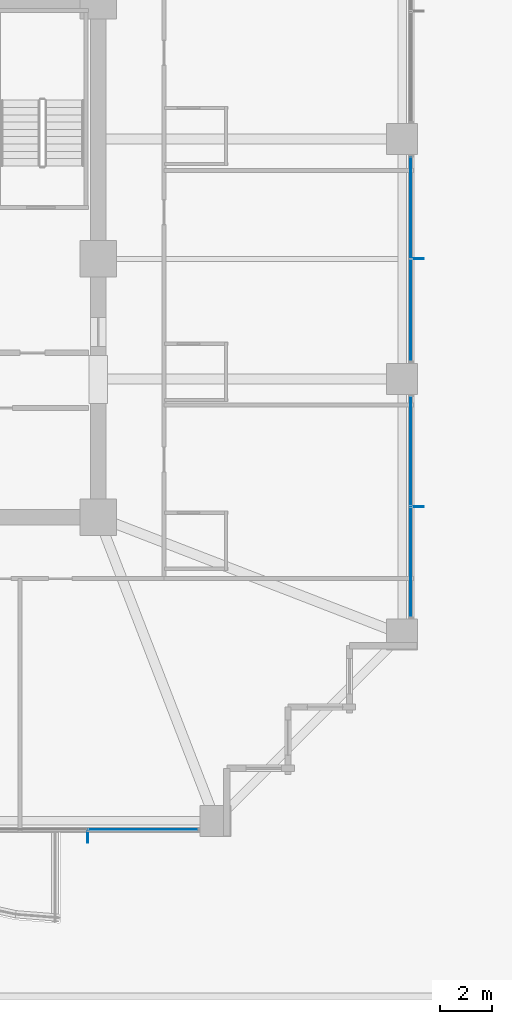
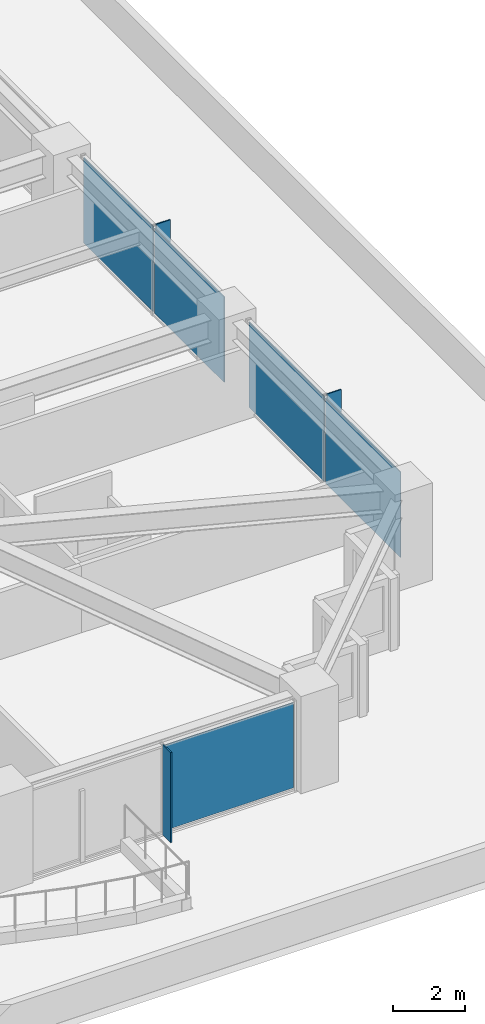
# One storey, part 27 of 36: 8 plates, 3 elements without a shape of their own.
"""IFC4 building model written with IfcOpenShell, lengths in metres."""

from ifc_helpers import new_model, si_unit, direction, frame, origin, origin_2d, place, context, subcontext, project, spatial, rectangle, extrude, material, layer, layer_set, type_object, element, aggregate, save


model = new_model("IFC4")

# Units and contexts
model_context = context("Model", 3, precision=1e-05, world=origin(), true_north=direction((0.0, 1.0)))
body_context = subcontext(model_context, "Body", "Model", "MODEL_VIEW")
ifc_project = project(units=[si_unit("LENGTHUNIT", "METRE"), si_unit("AREAUNIT", "SQUARE_METRE"), si_unit("VOLUMEUNIT", "CUBIC_METRE"), si_unit("PLANEANGLEUNIT", "RADIAN"), si_unit("MASSUNIT", "GRAM", prefix="KILO")], contexts=[model_context])

# Site, building, storey
site_placement = place(None, origin())
site = spatial("IfcSite", under=ifc_project, at=site_placement, CompositionType="ELEMENT")
building_placement = place(site_placement, origin())
building = spatial("IfcBuilding", under=site, at=building_placement, Name="Kolvaren Belvedere", CompositionType="ELEMENT")
storey_placement = place(building_placement, frame((0.0, 0.0, 23.800048828125)))
storey = spatial("IfcBuildingStorey", under=building, at=storey_placement, Name="L06", CompositionType="ELEMENT", Elevation=23.800048828125)

# Curtain wall, plate
ifc_material_1 = material(Name="Anodised pale-metal aluminium AA 6063-T6", Category="aluminium")
curtain_wall_type = type_object("IfcCurtainWallType", Name="CW-Z1-LOW", PredefinedType="NOTDEFINED", material=ifc_material_1)
curtain_wall_1_placement = place(storey_placement, origin())
curtain_wall_1 = element("IfcCurtainWall", 1, at=curtain_wall_1_placement, inside=storey, type_object=curtain_wall_type, Name="L06 Unitised Curtain Wall FCW-L06-S1-B1", PredefinedType="NOTDEFINED")
ifc_material_2 = material(Name="Low-iron triple insulated glass", Category="glass")
ifc_layer_1 = layer(ifc_material_2, 0.028076171875)
ifc_layer_set_1 = layer_set([ifc_layer_1], Name="Low-iron triple insulated glass")
plate_type_1 = type_object("IfcPlateType", Name="CW-PNL-VIS28", PredefinedType="CURTAIN_PANEL", material=ifc_layer_set_1)
plate_1_placement = place(storey_placement, frame((11.62255859375, -21.8798828125, 0.080078125), z_axis=(0.0, 0.0, 1.0), x_axis=(-1.0, 0.0, 0.0)))
plate_1 = element("IfcPlate", 2, at=plate_1_placement, type_object=plate_type_1, Name="FCW-L06-S1-B1 Vision Glazing Panel 1", PredefinedType="CURTAIN_PANEL", context=body_context, shape_type="SweptSolid", body=[
    extrude(rectangle(XDim=4.1650390625, YDim=0.028076171875, at=origin_2d()), origin(), (0.0, 0.0, 1.0), 2.89990234375),
])
aggregate(curtain_wall_1, [plate_1])

# Curtain wall, plates
curtain_wall_2_placement = place(storey_placement, origin())
curtain_wall_2 = element("IfcCurtainWall", 3, at=curtain_wall_2_placement, inside=storey, type_object=curtain_wall_type, Name="L06 Unitised Curtain Wall FCW-L06-E-B2", PredefinedType="NOTDEFINED")
plate_2_placement = place(storey_placement, frame((21.8798828125, 1.972412109375, 0.080078125), z_axis=(0.0, 0.0, 1.0), x_axis=(0.0, -1.0, 0.0)))
plate_2 = element("IfcPlate", 4, at=plate_2_placement, type_object=plate_type_1, Name="FCW-L06-E-B2 Vision Glazing Panel 1", PredefinedType="CURTAIN_PANEL", context=body_context, shape_type="SweptSolid", body=[
    extrude(rectangle(XDim=3.864990234375, YDim=0.028076171875, at=origin_2d()), origin(), (0.0, 0.0, 1.0), 2.89990234375),
])
plate_3_placement = place(storey_placement, frame((21.8798828125, -1.972412109375, 0.080078125), z_axis=(0.0, 0.0, 1.0), x_axis=(0.0, -1.0, 0.0)))
plate_3 = element("IfcPlate", 5, at=plate_3_placement, type_object=plate_type_1, Name="FCW-L06-E-B2 Vision Glazing Panel 2", PredefinedType="CURTAIN_PANEL", context=body_context, shape_type="SweptSolid", body=[
    extrude(rectangle(XDim=3.864990234375, YDim=0.028076171875, at=origin_2d()), origin(), (0.0, 0.0, 1.0), 2.89990234375),
])
aggregate(curtain_wall_2, [plate_2, plate_3])

curtain_wall_3_placement = place(storey_placement, origin())
curtain_wall_3 = element("IfcCurtainWall", 6, at=curtain_wall_3_placement, inside=storey, type_object=curtain_wall_type, Name="L06 Unitised Curtain Wall FCW-L06-E-B3", PredefinedType="NOTDEFINED")
plate_4_placement = place(storey_placement, frame((21.8798828125, -7.37744140625, 0.080078125), z_axis=(0.0, 0.0, 1.0), x_axis=(0.0, -1.0, 0.0)))
plate_4 = element("IfcPlate", 7, at=plate_4_placement, type_object=plate_type_1, Name="FCW-L06-E-B3 Vision Glazing Panel 1", PredefinedType="CURTAIN_PANEL", context=body_context, shape_type="SweptSolid", body=[
    extrude(rectangle(XDim=4.1650390625, YDim=0.028076171875, at=origin_2d()), origin(), (0.0, 0.0, 1.0), 2.89990234375),
])
plate_5_placement = place(storey_placement, frame((21.8798828125, -11.62255859375, 0.080078125), z_axis=(0.0, 0.0, 1.0), x_axis=(0.0, -1.0, 0.0)))
plate_5 = element("IfcPlate", 8, at=plate_5_placement, type_object=plate_type_1, Name="FCW-L06-E-B3 Vision Glazing Panel 2", PredefinedType="CURTAIN_PANEL", context=body_context, shape_type="SweptSolid", body=[
    extrude(rectangle(XDim=4.1650390625, YDim=0.028076171875, at=origin_2d()), origin(), (0.0, 0.0, 1.0), 2.89990234375),
])
aggregate(curtain_wall_3, [plate_4, plate_5])

# Plates
ifc_material_3 = material(Name="Anodised pale-metal aluminium AA 6063-T6", Category="aluminium")
ifc_layer_2 = layer(ifc_material_3, 0.0380859375)
ifc_layer_set_2 = layer_set([ifc_layer_2], Name="Anodised pale-metal aluminium AA 6063-T6")
plate_type_2 = type_object("IfcPlateType", Name="FIN-VERT-450", PredefinedType="USERDEFINED", material=ifc_layer_set_2)
for number, where, z_axis, x_axis, name in (
    (9, (9.5, -22.1650390625, 0.0), (0.0, 0.0, 1.0), (0.0, 1.0, 0.0), "L06 Pale-Metal Vertical Shading Fin FCW-L06-S1-B1-1"),
    (10, (22.1650390625, 0.0, 0.0), (0.0, 0.0, 1.0), (1.0, 0.0, 0.0), "L06 Pale-Metal Vertical Shading Fin FCW-L06-E-B2-1"),
    (11, (22.1650390625, -9.5, 0.0), (0.0, 0.0, 1.0), (1.0, 0.0, 0.0), "L06 Pale-Metal Vertical Shading Fin FCW-L06-E-B3-1"),
):
    element("IfcPlate", number, at=place(storey_placement, frame(where, z_axis=z_axis, x_axis=x_axis)), inside=storey, type_object=plate_type_2, Name=name, ObjectType="VERTICAL FIN", PredefinedType="USERDEFINED", context=body_context, shape_type="SweptSolid", body=[
        extrude(rectangle(XDim=0.449951171875, YDim=0.0380859375, at=origin_2d()), origin(), (0.0, 0.0, 1.0), 3.06005859375),
    ])

save(model, "model.ifc")
